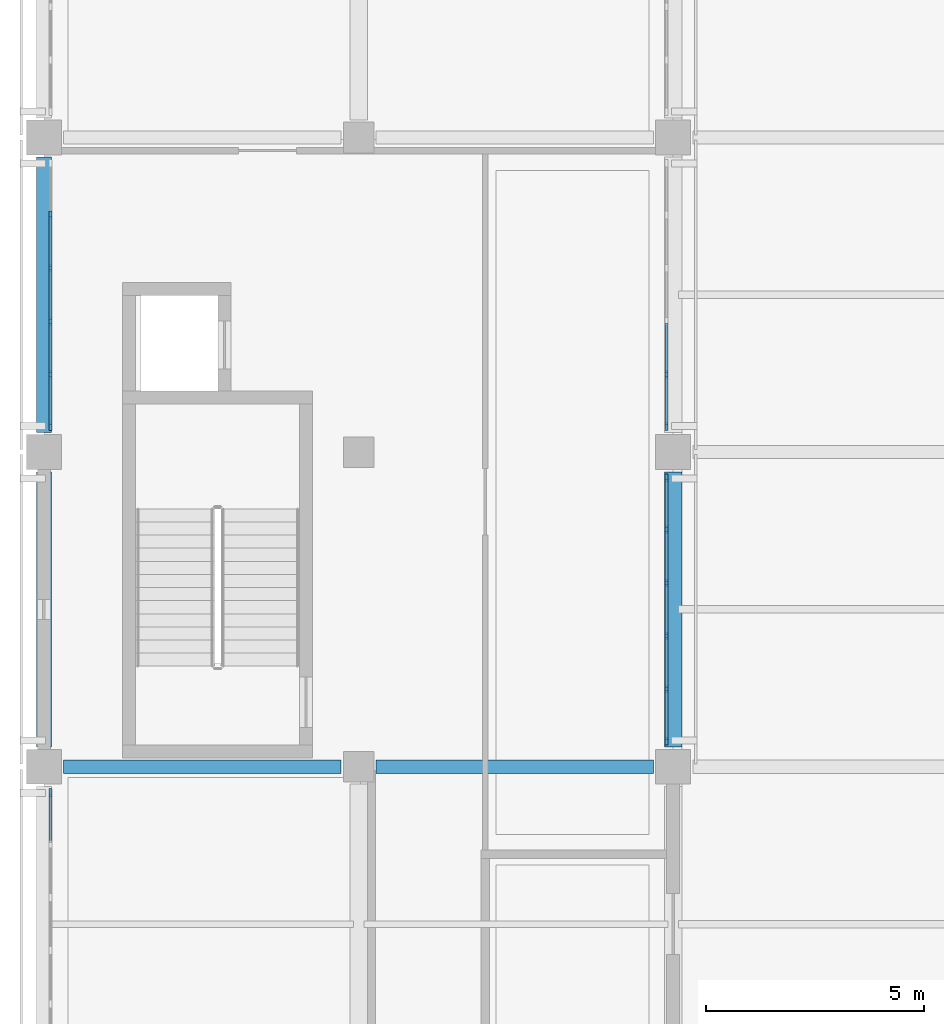
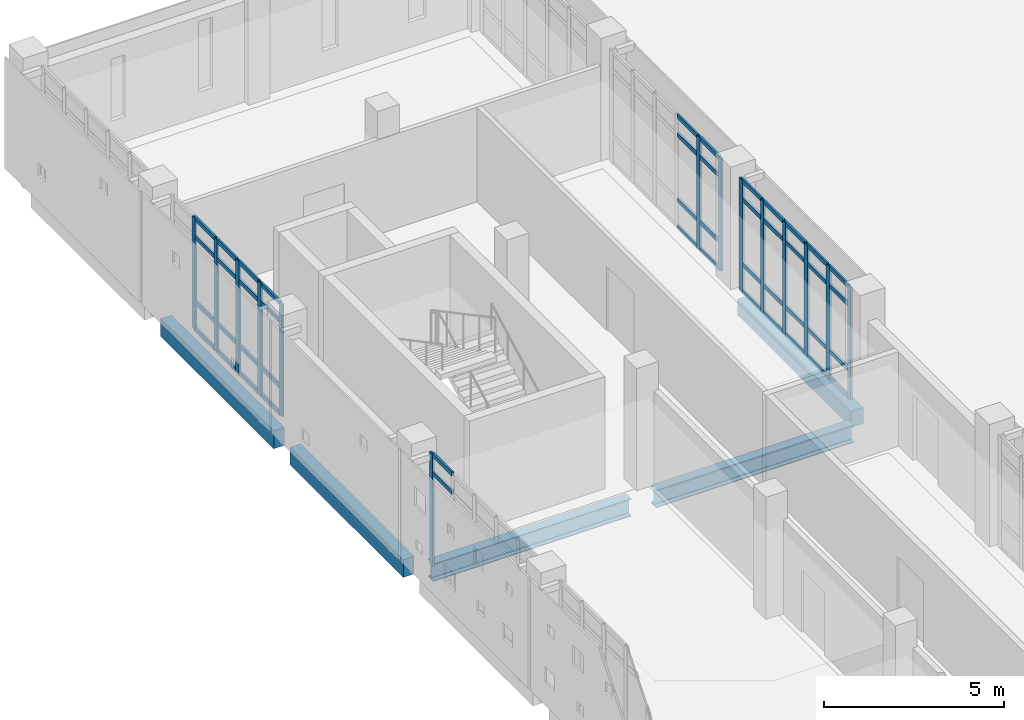
# One storey, part 9 of 51: 60 members, 5 beams, 4 elements without a shape of their own.
"""IFC4 building model written with IfcOpenShell, lengths in metres."""

from ifc_helpers import new_model, si_unit, direction, frame, origin, origin_2d, place, context, subcontext, project, spatial, rectangle, i_section, extrude, material, layer, layer_set, material_profile, profile_set, type_object, element, aggregate, save


model = new_model("IFC4")

# Units and contexts
model_context = context("Model", 3, precision=1e-05, world=origin(), true_north=direction((0.0, 1.0)))
body_context = subcontext(model_context, "Body", "Model", "MODEL_VIEW")
ifc_project = project(units=[si_unit("LENGTHUNIT", "METRE"), si_unit("AREAUNIT", "SQUARE_METRE"), si_unit("VOLUMEUNIT", "CUBIC_METRE"), si_unit("PLANEANGLEUNIT", "RADIAN"), si_unit("MASSUNIT", "GRAM", prefix="KILO")], contexts=[model_context])

# Site, building, storey
site_placement = place(None, origin())
site = spatial("IfcSite", under=ifc_project, at=site_placement, CompositionType="ELEMENT")
building_placement = place(site_placement, origin())
building = spatial("IfcBuilding", under=site, at=building_placement, Name="Valkovuoma Quantum and Materials Research Institute", CompositionType="ELEMENT")
storey_placement = place(building_placement, frame((0.0, 0.0, 17.280029296875)))
storey = spatial("IfcBuildingStorey", under=building, at=storey_placement, Name="L04", CompositionType="ELEMENT", Elevation=17.280029296875)

# Beams
ifc_material_1 = material(Name="Steel S355J2", Category="steel")
ifc_material_profile_1 = material_profile(ifc_material_1, i_section(OverallWidth=0.300048828125, OverallDepth=0.60009765625, WebThickness=0.015380859375, FlangeThickness=0.030029296875, FilletRadius=0.027099609375, at=origin_2d()), Name="Steel S355J2")
ifc_profile_set_1 = profile_set([ifc_material_profile_1], Name="Steel S355J2")
beam_type_1 = type_object("IfcBeamType", Name="Beam-B-HEB600", PredefinedType="BEAM", material=ifc_profile_set_1)
beam_1_placement = place(storey_placement, frame((0.449951171875, 72.0, -0.650146484375), z_axis=(1.0, 0.0, 0.0), x_axis=(0.0, 1.0, 0.0)))
element("IfcBeam", 1, at=beam_1_placement, inside=storey, type_object=beam_type_1, Name="L04 beam X-1852", PredefinedType="BEAM", context=body_context, shape_type="SweptSolid", body=[
    extrude(i_section(OverallWidth=0.300048828125, OverallDepth=0.60009765625, WebThickness=0.015380859375, FlangeThickness=0.030029296875, FilletRadius=0.027099609375, at=origin_2d()), origin(), (0.0, 0.0, 1.0), 6.35009765625),
])
beam_2_placement = place(storey_placement, frame((7.60009765625, 72.0, -0.650146484375), z_axis=(1.0, 0.0, 0.0), x_axis=(0.0, 1.0, 0.0)))
element("IfcBeam", 2, at=beam_2_placement, inside=storey, type_object=beam_type_1, Name="L04 beam X-1853", PredefinedType="BEAM", context=body_context, shape_type="SweptSolid", body=[
    extrude(i_section(OverallWidth=0.300048828125, OverallDepth=0.60009765625, WebThickness=0.015380859375, FlangeThickness=0.030029296875, FilletRadius=0.027099609375, at=origin_2d()), origin(), (0.0, 0.0, 1.0), 6.349853515625),
])
ifc_material_2 = material(Name="Concrete C40/50", Category="concrete")
ifc_material_profile_2 = material_profile(ifc_material_2, rectangle(XDim=0.39990234375, YDim=0.550048828125, at=origin_2d()), Name="Concrete C40/50")
ifc_profile_set_2 = profile_set([ifc_material_profile_2], Name="Concrete C40/50")
beam_type_2 = type_object("IfcBeamType", Name="Beam-B-RC550", PredefinedType="BEAM", material=ifc_profile_set_2)
beam_3_placement = place(storey_placement, frame((14.39990234375, 72.449951171875, -0.625), z_axis=(0.0, 1.0, 0.0), x_axis=(-1.0, 0.0, 0.0)))
element("IfcBeam", 3, at=beam_3_placement, inside=storey, type_object=beam_type_2, Name="L04 beam Y-1927", PredefinedType="BEAM", context=body_context, shape_type="SweptSolid", body=[
    extrude(rectangle(XDim=0.39990234375, YDim=0.550048828125, at=origin_2d()), origin(), (0.0, 0.0, 1.0), 6.300048828125),
])
ifc_material_3 = material(Name="Concrete C40/50", Category="concrete")
ifc_material_profile_3 = material_profile(ifc_material_3, rectangle(XDim=0.35009765625, YDim=0.60009765625, at=origin_2d()), Name="Concrete C40/50")
ifc_profile_set_3 = profile_set([ifc_material_profile_3], Name="Concrete C40/50")
beam_type_3 = type_object("IfcBeamType", Name="Beam-B-SPN600", PredefinedType="SPANDREL", material=ifc_profile_set_3)
for number, where, z_axis, x_axis, name in (
    (4, (0.0, 72.449951171875, -0.650146484375), (0.0, 1.0, 0.0), (-1.0, 0.0, 0.0), "L04 beam Y-1919"),
    (5, (0.0, 79.64990234375, -0.650146484375), (0.0, 1.0, 0.0), (-1.0, 0.0, 0.0), "L04 beam Y-1920"),
):
    element("IfcBeam", number, at=place(storey_placement, frame(where, z_axis=z_axis, x_axis=x_axis)), inside=storey, type_object=beam_type_3, Name=name, PredefinedType="SPANDREL", context=body_context, shape_type="SweptSolid", body=[
        extrude(rectangle(XDim=0.35009765625, YDim=0.60009765625, at=origin_2d()), origin(), (0.0, 0.0, 1.0), 6.300048828125),
    ])

# Curtain wall, member
ifc_material_4 = material(Name="Thermally broken aluminium and triple low-E glazing", Category="aluminium")
ifc_layer = layer(ifc_material_4, 0.219970703125)
ifc_layer_set = layer_set([ifc_layer], Name="Thermally broken aluminium and triple low-E glazing")
curtain_wall_type = type_object("IfcCurtainWallType", Name="CW-CW-01", PredefinedType="NOTDEFINED", material=ifc_layer_set)
curtain_wall_1_placement = place(storey_placement, origin())
curtain_wall_1 = element("IfcCurtainWall", 6, at=curtain_wall_1_placement, inside=storey, type_object=curtain_wall_type, Name="L04 curtain wall 049", PredefinedType="NOTDEFINED")
ifc_material_5 = material(Name="Anodised aluminium 6060-T66", Category="aluminium")
ifc_material_profile_4 = material_profile(ifc_material_5, rectangle(XDim=0.06494140625, YDim=0.179931640625, at=origin_2d()), Name="Anodised aluminium 6060-T66")
ifc_profile_set_4 = profile_set([ifc_material_profile_4], Name="Anodised aluminium 6060-T66")
member_type_1 = type_object("IfcMemberType", Name="CWMull-CWM-01", PredefinedType="MULLION", material=ifc_profile_set_4)
member_1_placement = place(storey_placement, frame((0.14990234375, 71.410400390625, 0.0), z_axis=(0.0, 0.0, 1.0), x_axis=(-1.0, 0.0, 0.0)))
member_1 = element("IfcMember", 7, at=member_1_placement, type_object=member_type_1, Name="CW-01 mullion 6", PredefinedType="MULLION", context=body_context, shape_type="SweptSolid", body=[
    extrude(rectangle(XDim=0.06494140625, YDim=0.179931640625, at=origin_2d()), origin(), (0.0, 0.0, 1.0), 3.81005859375),
])

# Curtain wall, members
curtain_wall_2_placement = place(storey_placement, origin())
curtain_wall_2 = element("IfcCurtainWall", 8, at=curtain_wall_2_placement, inside=storey, type_object=curtain_wall_type, Name="L04 curtain wall 050", PredefinedType="NOTDEFINED")
member_2_placement = place(storey_placement, frame((14.25, 72.589599609375, 0.0), z_axis=(0.0, 0.0, 1.0), x_axis=(-1.0, 0.0, 0.0)))
member_2 = element("IfcMember", 9, at=member_2_placement, type_object=member_type_1, Name="CW-01 mullion 1", PredefinedType="MULLION", context=body_context, shape_type="SweptSolid", body=[
    extrude(rectangle(XDim=0.06494140625, YDim=0.179931640625, at=origin_2d()), origin(), (0.0, 0.0, 1.0), 3.81005859375),
])
member_3_placement = place(storey_placement, frame((14.25, 73.774169921875, 0.0), z_axis=(0.0, 0.0, 1.0), x_axis=(-1.0, 0.0, 0.0)))
member_3 = element("IfcMember", 10, at=member_3_placement, type_object=member_type_1, Name="CW-01 mullion 2", PredefinedType="MULLION", context=body_context, shape_type="SweptSolid", body=[
    extrude(rectangle(XDim=0.06494140625, YDim=0.179931640625, at=origin_2d()), origin(), (0.0, 0.0, 1.0), 3.81005859375),
])
member_4_placement = place(storey_placement, frame((14.25, 74.991455078125, 0.0), z_axis=(0.0, 0.0, 1.0), x_axis=(-1.0, 0.0, 0.0)))
member_4 = element("IfcMember", 11, at=member_4_placement, type_object=member_type_1, Name="CW-01 mullion 3", PredefinedType="MULLION", context=body_context, shape_type="SweptSolid", body=[
    extrude(rectangle(XDim=0.06494140625, YDim=0.179931640625, at=origin_2d()), origin(), (0.0, 0.0, 1.0), 3.81005859375),
])
member_5_placement = place(storey_placement, frame((14.25, 76.20849609375, 0.0), z_axis=(0.0, 0.0, 1.0), x_axis=(-1.0, 0.0, 0.0)))
member_5 = element("IfcMember", 12, at=member_5_placement, type_object=member_type_1, Name="CW-01 mullion 4", PredefinedType="MULLION", context=body_context, shape_type="SweptSolid", body=[
    extrude(rectangle(XDim=0.06494140625, YDim=0.179931640625, at=origin_2d()), origin(), (0.0, 0.0, 1.0), 3.81005859375),
])
member_6_placement = place(storey_placement, frame((14.25, 77.42578125, 0.0), z_axis=(0.0, 0.0, 1.0), x_axis=(-1.0, 0.0, 0.0)))
member_6 = element("IfcMember", 13, at=member_6_placement, type_object=member_type_1, Name="CW-01 mullion 5", PredefinedType="MULLION", context=body_context, shape_type="SweptSolid", body=[
    extrude(rectangle(XDim=0.06494140625, YDim=0.179931640625, at=origin_2d()), origin(), (0.0, 0.0, 1.0), 3.81005859375),
])
member_7_placement = place(storey_placement, frame((14.25, 78.6103515625, 0.0), z_axis=(0.0, 0.0, 1.0), x_axis=(-1.0, 0.0, 0.0)))
member_7 = element("IfcMember", 14, at=member_7_placement, type_object=member_type_1, Name="CW-01 mullion 6", PredefinedType="MULLION", context=body_context, shape_type="SweptSolid", body=[
    extrude(rectangle(XDim=0.06494140625, YDim=0.179931640625, at=origin_2d()), origin(), (0.0, 0.0, 1.0), 3.81005859375),
])

curtain_wall_3_placement = place(storey_placement, origin())
curtain_wall_3 = element("IfcCurtainWall", 15, at=curtain_wall_3_placement, inside=storey, type_object=curtain_wall_type, Name="L04 curtain wall 051", PredefinedType="NOTDEFINED")
member_8_placement = place(storey_placement, frame((0.14990234375, 79.78955078125, 0.0), z_axis=(0.0, 0.0, 1.0), x_axis=(-1.0, 0.0, 0.0)))
member_8 = element("IfcMember", 16, at=member_8_placement, type_object=member_type_1, Name="CW-01 mullion 1", PredefinedType="MULLION", context=body_context, shape_type="SweptSolid", body=[
    extrude(rectangle(XDim=0.06494140625, YDim=0.179931640625, at=origin_2d()), origin(), (0.0, 0.0, 1.0), 3.81005859375),
])
member_9_placement = place(storey_placement, frame((0.14990234375, 80.974365234375, 0.0), z_axis=(0.0, 0.0, 1.0), x_axis=(-1.0, 0.0, 0.0)))
member_9 = element("IfcMember", 17, at=member_9_placement, type_object=member_type_1, Name="CW-01 mullion 2", PredefinedType="MULLION", context=body_context, shape_type="SweptSolid", body=[
    extrude(rectangle(XDim=0.06494140625, YDim=0.179931640625, at=origin_2d()), origin(), (0.0, 0.0, 1.0), 3.81005859375),
])
member_10_placement = place(storey_placement, frame((0.14990234375, 82.19140625, 0.0), z_axis=(0.0, 0.0, 1.0), x_axis=(-1.0, 0.0, 0.0)))
member_10 = element("IfcMember", 18, at=member_10_placement, type_object=member_type_1, Name="CW-01 mullion 3", PredefinedType="MULLION", context=body_context, shape_type="SweptSolid", body=[
    extrude(rectangle(XDim=0.06494140625, YDim=0.179931640625, at=origin_2d()), origin(), (0.0, 0.0, 1.0), 3.81005859375),
])
member_11_placement = place(storey_placement, frame((0.14990234375, 83.40869140625, 0.0), z_axis=(0.0, 0.0, 1.0), x_axis=(-1.0, 0.0, 0.0)))
member_11 = element("IfcMember", 19, at=member_11_placement, type_object=member_type_1, Name="CW-01 mullion 4", PredefinedType="MULLION", context=body_context, shape_type="SweptSolid", body=[
    extrude(rectangle(XDim=0.06494140625, YDim=0.179931640625, at=origin_2d()), origin(), (0.0, 0.0, 1.0), 3.81005859375),
])
member_12_placement = place(storey_placement, frame((0.14990234375, 84.625732421875, 0.0), z_axis=(0.0, 0.0, 1.0), x_axis=(-1.0, 0.0, 0.0)))
member_12 = element("IfcMember", 20, at=member_12_placement, type_object=member_type_1, Name="CW-01 mullion 5", PredefinedType="MULLION", context=body_context, shape_type="SweptSolid", body=[
    extrude(rectangle(XDim=0.06494140625, YDim=0.179931640625, at=origin_2d()), origin(), (0.0, 0.0, 1.0), 3.81005859375),
])

curtain_wall_4_placement = place(storey_placement, origin())
curtain_wall_4 = element("IfcCurtainWall", 21, at=curtain_wall_4_placement, inside=storey, type_object=curtain_wall_type, Name="L04 curtain wall 052", PredefinedType="NOTDEFINED")
member_13_placement = place(storey_placement, frame((14.25, 79.78955078125, 0.0), z_axis=(0.0, 0.0, 1.0), x_axis=(-1.0, 0.0, 0.0)))
member_13 = element("IfcMember", 22, at=member_13_placement, type_object=member_type_1, Name="CW-01 mullion 1", PredefinedType="MULLION", context=body_context, shape_type="SweptSolid", body=[
    extrude(rectangle(XDim=0.06494140625, YDim=0.179931640625, at=origin_2d()), origin(), (0.0, 0.0, 1.0), 3.81005859375),
])
member_14_placement = place(storey_placement, frame((14.25, 80.974365234375, 0.0), z_axis=(0.0, 0.0, 1.0), x_axis=(-1.0, 0.0, 0.0)))
member_14 = element("IfcMember", 23, at=member_14_placement, type_object=member_type_1, Name="CW-01 mullion 2", PredefinedType="MULLION", context=body_context, shape_type="SweptSolid", body=[
    extrude(rectangle(XDim=0.06494140625, YDim=0.179931640625, at=origin_2d()), origin(), (0.0, 0.0, 1.0), 3.81005859375),
])

# Member
ifc_material_6 = material(Name="Anodised aluminium 6060-T66", Category="aluminium")
ifc_material_profile_5 = material_profile(ifc_material_6, rectangle(XDim=0.06494140625, YDim=0.139892578125, at=origin_2d()), Name="Anodised aluminium 6060-T66")
ifc_profile_set_5 = profile_set([ifc_material_profile_5], Name="Anodised aluminium 6060-T66")
member_type_2 = type_object("IfcMemberType", Name="CWTran-CWT-01", PredefinedType="USERDEFINED", material=ifc_profile_set_5)
member_15_placement = place(storey_placement, frame((0.14990234375, 70.25830078125, 3.159912109375), z_axis=(0.0, 1.0, 0.0), x_axis=(-1.0, 0.0, 0.0)))
member_15 = element("IfcMember", 24, at=member_15_placement, type_object=member_type_2, Name="CW-01 transom 5.3", ObjectType="TRANSOM", PredefinedType="USERDEFINED", context=body_context, shape_type="SweptSolid", body=[
    extrude(rectangle(XDim=0.06494140625, YDim=0.139892578125, at=origin_2d()), origin(), (0.0, 0.0, 1.0), 1.11962890625),
])

member_16_placement = place(storey_placement, frame((0.14990234375, 70.25830078125, 3.777587890625), z_axis=(0.0, 1.0, 0.0), x_axis=(-1.0, 0.0, 0.0)))
member_16 = element("IfcMember", 25, at=member_16_placement, type_object=member_type_2, Name="CW-01 transom 5.4", ObjectType="TRANSOM", PredefinedType="USERDEFINED", context=body_context, shape_type="SweptSolid", body=[
    extrude(rectangle(XDim=0.06494140625, YDim=0.139892578125, at=origin_2d()), origin(), (0.0, 0.0, 1.0), 1.11962890625),
])

aggregate(curtain_wall_1, [member_1, member_15, member_16])

member_17_placement = place(storey_placement, frame((14.25, 72.6220703125, 0.032470703125), z_axis=(0.0, 1.0, 0.0), x_axis=(-1.0, 0.0, 0.0)))
member_17 = element("IfcMember", 26, at=member_17_placement, type_object=member_type_2, Name="CW-01 transom 1.1", ObjectType="TRANSOM", PredefinedType="USERDEFINED", context=body_context, shape_type="SweptSolid", body=[
    extrude(rectangle(XDim=0.06494140625, YDim=0.139892578125, at=origin_2d()), origin(), (0.0, 0.0, 1.0), 1.11962890625),
])

member_18_placement = place(storey_placement, frame((14.25, 72.6220703125, 0.949951171875), z_axis=(0.0, 1.0, 0.0), x_axis=(-1.0, 0.0, 0.0)))
member_18 = element("IfcMember", 27, at=member_18_placement, type_object=member_type_2, Name="CW-01 transom 1.2", ObjectType="TRANSOM", PredefinedType="USERDEFINED", context=body_context, shape_type="SweptSolid", body=[
    extrude(rectangle(XDim=0.06494140625, YDim=0.139892578125, at=origin_2d()), origin(), (0.0, 0.0, 1.0), 1.11962890625),
])

member_19_placement = place(storey_placement, frame((14.25, 72.6220703125, 3.159912109375), z_axis=(0.0, 1.0, 0.0), x_axis=(-1.0, 0.0, 0.0)))
member_19 = element("IfcMember", 28, at=member_19_placement, type_object=member_type_2, Name="CW-01 transom 1.3", ObjectType="TRANSOM", PredefinedType="USERDEFINED", context=body_context, shape_type="SweptSolid", body=[
    extrude(rectangle(XDim=0.06494140625, YDim=0.139892578125, at=origin_2d()), origin(), (0.0, 0.0, 1.0), 1.11962890625),
])

member_20_placement = place(storey_placement, frame((14.25, 72.6220703125, 3.777587890625), z_axis=(0.0, 1.0, 0.0), x_axis=(-1.0, 0.0, 0.0)))
member_20 = element("IfcMember", 29, at=member_20_placement, type_object=member_type_2, Name="CW-01 transom 1.4", ObjectType="TRANSOM", PredefinedType="USERDEFINED", context=body_context, shape_type="SweptSolid", body=[
    extrude(rectangle(XDim=0.06494140625, YDim=0.139892578125, at=origin_2d()), origin(), (0.0, 0.0, 1.0), 1.11962890625),
])

member_21_placement = place(storey_placement, frame((14.25, 73.806640625, 0.032470703125), z_axis=(0.0, 1.0, 0.0), x_axis=(-1.0, 0.0, 0.0)))
member_21 = element("IfcMember", 30, at=member_21_placement, type_object=member_type_2, Name="CW-01 transom 2.1", ObjectType="TRANSOM", PredefinedType="USERDEFINED", context=body_context, shape_type="SweptSolid", body=[
    extrude(rectangle(XDim=0.06494140625, YDim=0.139892578125, at=origin_2d()), origin(), (0.0, 0.0, 1.0), 1.15234375),
])

member_22_placement = place(storey_placement, frame((14.25, 73.806640625, 0.949951171875), z_axis=(0.0, 1.0, 0.0), x_axis=(-1.0, 0.0, 0.0)))
member_22 = element("IfcMember", 31, at=member_22_placement, type_object=member_type_2, Name="CW-01 transom 2.2", ObjectType="TRANSOM", PredefinedType="USERDEFINED", context=body_context, shape_type="SweptSolid", body=[
    extrude(rectangle(XDim=0.06494140625, YDim=0.139892578125, at=origin_2d()), origin(), (0.0, 0.0, 1.0), 1.15234375),
])

member_23_placement = place(storey_placement, frame((14.25, 73.806640625, 3.159912109375), z_axis=(0.0, 1.0, 0.0), x_axis=(-1.0, 0.0, 0.0)))
member_23 = element("IfcMember", 32, at=member_23_placement, type_object=member_type_2, Name="CW-01 transom 2.3", ObjectType="TRANSOM", PredefinedType="USERDEFINED", context=body_context, shape_type="SweptSolid", body=[
    extrude(rectangle(XDim=0.06494140625, YDim=0.139892578125, at=origin_2d()), origin(), (0.0, 0.0, 1.0), 1.15234375),
])

member_24_placement = place(storey_placement, frame((14.25, 73.806640625, 3.777587890625), z_axis=(0.0, 1.0, 0.0), x_axis=(-1.0, 0.0, 0.0)))
member_24 = element("IfcMember", 33, at=member_24_placement, type_object=member_type_2, Name="CW-01 transom 2.4", ObjectType="TRANSOM", PredefinedType="USERDEFINED", context=body_context, shape_type="SweptSolid", body=[
    extrude(rectangle(XDim=0.06494140625, YDim=0.139892578125, at=origin_2d()), origin(), (0.0, 0.0, 1.0), 1.15234375),
])

member_25_placement = place(storey_placement, frame((14.25, 75.02392578125, 0.032470703125), z_axis=(0.0, 1.0, 0.0), x_axis=(-1.0, 0.0, 0.0)))
member_25 = element("IfcMember", 34, at=member_25_placement, type_object=member_type_2, Name="CW-01 transom 3.1", ObjectType="TRANSOM", PredefinedType="USERDEFINED", context=body_context, shape_type="SweptSolid", body=[
    extrude(rectangle(XDim=0.06494140625, YDim=0.139892578125, at=origin_2d()), origin(), (0.0, 0.0, 1.0), 1.152099609375),
])

member_26_placement = place(storey_placement, frame((14.25, 75.02392578125, 0.949951171875), z_axis=(0.0, 1.0, 0.0), x_axis=(-1.0, 0.0, 0.0)))
member_26 = element("IfcMember", 35, at=member_26_placement, type_object=member_type_2, Name="CW-01 transom 3.2", ObjectType="TRANSOM", PredefinedType="USERDEFINED", context=body_context, shape_type="SweptSolid", body=[
    extrude(rectangle(XDim=0.06494140625, YDim=0.139892578125, at=origin_2d()), origin(), (0.0, 0.0, 1.0), 1.152099609375),
])

member_27_placement = place(storey_placement, frame((14.25, 75.02392578125, 3.159912109375), z_axis=(0.0, 1.0, 0.0), x_axis=(-1.0, 0.0, 0.0)))
member_27 = element("IfcMember", 36, at=member_27_placement, type_object=member_type_2, Name="CW-01 transom 3.3", ObjectType="TRANSOM", PredefinedType="USERDEFINED", context=body_context, shape_type="SweptSolid", body=[
    extrude(rectangle(XDim=0.06494140625, YDim=0.139892578125, at=origin_2d()), origin(), (0.0, 0.0, 1.0), 1.152099609375),
])

member_28_placement = place(storey_placement, frame((14.25, 75.02392578125, 3.777587890625), z_axis=(0.0, 1.0, 0.0), x_axis=(-1.0, 0.0, 0.0)))
member_28 = element("IfcMember", 37, at=member_28_placement, type_object=member_type_2, Name="CW-01 transom 3.4", ObjectType="TRANSOM", PredefinedType="USERDEFINED", context=body_context, shape_type="SweptSolid", body=[
    extrude(rectangle(XDim=0.06494140625, YDim=0.139892578125, at=origin_2d()), origin(), (0.0, 0.0, 1.0), 1.152099609375),
])

member_29_placement = place(storey_placement, frame((14.25, 76.240966796875, 0.032470703125), z_axis=(0.0, 1.0, 0.0), x_axis=(-1.0, 0.0, 0.0)))
member_29 = element("IfcMember", 38, at=member_29_placement, type_object=member_type_2, Name="CW-01 transom 4.1", ObjectType="TRANSOM", PredefinedType="USERDEFINED", context=body_context, shape_type="SweptSolid", body=[
    extrude(rectangle(XDim=0.06494140625, YDim=0.139892578125, at=origin_2d()), origin(), (0.0, 0.0, 1.0), 1.15234375),
])

member_30_placement = place(storey_placement, frame((14.25, 76.240966796875, 0.949951171875), z_axis=(0.0, 1.0, 0.0), x_axis=(-1.0, 0.0, 0.0)))
member_30 = element("IfcMember", 39, at=member_30_placement, type_object=member_type_2, Name="CW-01 transom 4.2", ObjectType="TRANSOM", PredefinedType="USERDEFINED", context=body_context, shape_type="SweptSolid", body=[
    extrude(rectangle(XDim=0.06494140625, YDim=0.139892578125, at=origin_2d()), origin(), (0.0, 0.0, 1.0), 1.15234375),
])

member_31_placement = place(storey_placement, frame((14.25, 76.240966796875, 3.159912109375), z_axis=(0.0, 1.0, 0.0), x_axis=(-1.0, 0.0, 0.0)))
member_31 = element("IfcMember", 40, at=member_31_placement, type_object=member_type_2, Name="CW-01 transom 4.3", ObjectType="TRANSOM", PredefinedType="USERDEFINED", context=body_context, shape_type="SweptSolid", body=[
    extrude(rectangle(XDim=0.06494140625, YDim=0.139892578125, at=origin_2d()), origin(), (0.0, 0.0, 1.0), 1.15234375),
])

member_32_placement = place(storey_placement, frame((14.25, 76.240966796875, 3.777587890625), z_axis=(0.0, 1.0, 0.0), x_axis=(-1.0, 0.0, 0.0)))
member_32 = element("IfcMember", 41, at=member_32_placement, type_object=member_type_2, Name="CW-01 transom 4.4", ObjectType="TRANSOM", PredefinedType="USERDEFINED", context=body_context, shape_type="SweptSolid", body=[
    extrude(rectangle(XDim=0.06494140625, YDim=0.139892578125, at=origin_2d()), origin(), (0.0, 0.0, 1.0), 1.15234375),
])

member_33_placement = place(storey_placement, frame((14.25, 77.458251953125, 0.032470703125), z_axis=(0.0, 1.0, 0.0), x_axis=(-1.0, 0.0, 0.0)))
member_33 = element("IfcMember", 42, at=member_33_placement, type_object=member_type_2, Name="CW-01 transom 5.1", ObjectType="TRANSOM", PredefinedType="USERDEFINED", context=body_context, shape_type="SweptSolid", body=[
    extrude(rectangle(XDim=0.06494140625, YDim=0.139892578125, at=origin_2d()), origin(), (0.0, 0.0, 1.0), 1.11962890625),
])

member_34_placement = place(storey_placement, frame((14.25, 77.458251953125, 0.949951171875), z_axis=(0.0, 1.0, 0.0), x_axis=(-1.0, 0.0, 0.0)))
member_34 = element("IfcMember", 43, at=member_34_placement, type_object=member_type_2, Name="CW-01 transom 5.2", ObjectType="TRANSOM", PredefinedType="USERDEFINED", context=body_context, shape_type="SweptSolid", body=[
    extrude(rectangle(XDim=0.06494140625, YDim=0.139892578125, at=origin_2d()), origin(), (0.0, 0.0, 1.0), 1.11962890625),
])

member_35_placement = place(storey_placement, frame((14.25, 77.458251953125, 3.159912109375), z_axis=(0.0, 1.0, 0.0), x_axis=(-1.0, 0.0, 0.0)))
member_35 = element("IfcMember", 44, at=member_35_placement, type_object=member_type_2, Name="CW-01 transom 5.3", ObjectType="TRANSOM", PredefinedType="USERDEFINED", context=body_context, shape_type="SweptSolid", body=[
    extrude(rectangle(XDim=0.06494140625, YDim=0.139892578125, at=origin_2d()), origin(), (0.0, 0.0, 1.0), 1.11962890625),
])

member_36_placement = place(storey_placement, frame((14.25, 77.458251953125, 3.777587890625), z_axis=(0.0, 1.0, 0.0), x_axis=(-1.0, 0.0, 0.0)))
member_36 = element("IfcMember", 45, at=member_36_placement, type_object=member_type_2, Name="CW-01 transom 5.4", ObjectType="TRANSOM", PredefinedType="USERDEFINED", context=body_context, shape_type="SweptSolid", body=[
    extrude(rectangle(XDim=0.06494140625, YDim=0.139892578125, at=origin_2d()), origin(), (0.0, 0.0, 1.0), 1.11962890625),
])

aggregate(curtain_wall_2, [member_2, member_3, member_4, member_5, member_6, member_7, member_17, member_18, member_19, member_20, member_21, member_22, member_23, member_24, member_25, member_26, member_27, member_28, member_29, member_30, member_31, member_32, member_33, member_34, member_35, member_36])

member_37_placement = place(storey_placement, frame((0.14990234375, 79.822021484375, 0.032470703125), z_axis=(0.0, 1.0, 0.0), x_axis=(-1.0, 0.0, 0.0)))
member_37 = element("IfcMember", 46, at=member_37_placement, type_object=member_type_2, Name="CW-01 transom 1.1", ObjectType="TRANSOM", PredefinedType="USERDEFINED", context=body_context, shape_type="SweptSolid", body=[
    extrude(rectangle(XDim=0.06494140625, YDim=0.139892578125, at=origin_2d()), origin(), (0.0, 0.0, 1.0), 1.11962890625),
])

member_38_placement = place(storey_placement, frame((0.14990234375, 79.822021484375, 0.949951171875), z_axis=(0.0, 1.0, 0.0), x_axis=(-1.0, 0.0, 0.0)))
member_38 = element("IfcMember", 47, at=member_38_placement, type_object=member_type_2, Name="CW-01 transom 1.2", ObjectType="TRANSOM", PredefinedType="USERDEFINED", context=body_context, shape_type="SweptSolid", body=[
    extrude(rectangle(XDim=0.06494140625, YDim=0.139892578125, at=origin_2d()), origin(), (0.0, 0.0, 1.0), 1.11962890625),
])

member_39_placement = place(storey_placement, frame((0.14990234375, 79.822021484375, 3.159912109375), z_axis=(0.0, 1.0, 0.0), x_axis=(-1.0, 0.0, 0.0)))
member_39 = element("IfcMember", 48, at=member_39_placement, type_object=member_type_2, Name="CW-01 transom 1.3", ObjectType="TRANSOM", PredefinedType="USERDEFINED", context=body_context, shape_type="SweptSolid", body=[
    extrude(rectangle(XDim=0.06494140625, YDim=0.139892578125, at=origin_2d()), origin(), (0.0, 0.0, 1.0), 1.11962890625),
])

member_40_placement = place(storey_placement, frame((0.14990234375, 79.822021484375, 3.777587890625), z_axis=(0.0, 1.0, 0.0), x_axis=(-1.0, 0.0, 0.0)))
member_40 = element("IfcMember", 49, at=member_40_placement, type_object=member_type_2, Name="CW-01 transom 1.4", ObjectType="TRANSOM", PredefinedType="USERDEFINED", context=body_context, shape_type="SweptSolid", body=[
    extrude(rectangle(XDim=0.06494140625, YDim=0.139892578125, at=origin_2d()), origin(), (0.0, 0.0, 1.0), 1.11962890625),
])

member_41_placement = place(storey_placement, frame((0.14990234375, 81.0068359375, 0.032470703125), z_axis=(0.0, 1.0, 0.0), x_axis=(-1.0, 0.0, 0.0)))
member_41 = element("IfcMember", 50, at=member_41_placement, type_object=member_type_2, Name="CW-01 transom 2.1", ObjectType="TRANSOM", PredefinedType="USERDEFINED", context=body_context, shape_type="SweptSolid", body=[
    extrude(rectangle(XDim=0.06494140625, YDim=0.139892578125, at=origin_2d()), origin(), (0.0, 0.0, 1.0), 1.152099609375),
])

member_42_placement = place(storey_placement, frame((0.14990234375, 81.0068359375, 0.949951171875), z_axis=(0.0, 1.0, 0.0), x_axis=(-1.0, 0.0, 0.0)))
member_42 = element("IfcMember", 51, at=member_42_placement, type_object=member_type_2, Name="CW-01 transom 2.2", ObjectType="TRANSOM", PredefinedType="USERDEFINED", context=body_context, shape_type="SweptSolid", body=[
    extrude(rectangle(XDim=0.06494140625, YDim=0.139892578125, at=origin_2d()), origin(), (0.0, 0.0, 1.0), 1.152099609375),
])

member_43_placement = place(storey_placement, frame((0.14990234375, 81.0068359375, 3.159912109375), z_axis=(0.0, 1.0, 0.0), x_axis=(-1.0, 0.0, 0.0)))
member_43 = element("IfcMember", 52, at=member_43_placement, type_object=member_type_2, Name="CW-01 transom 2.3", ObjectType="TRANSOM", PredefinedType="USERDEFINED", context=body_context, shape_type="SweptSolid", body=[
    extrude(rectangle(XDim=0.06494140625, YDim=0.139892578125, at=origin_2d()), origin(), (0.0, 0.0, 1.0), 1.152099609375),
])

member_44_placement = place(storey_placement, frame((0.14990234375, 81.0068359375, 3.777587890625), z_axis=(0.0, 1.0, 0.0), x_axis=(-1.0, 0.0, 0.0)))
member_44 = element("IfcMember", 53, at=member_44_placement, type_object=member_type_2, Name="CW-01 transom 2.4", ObjectType="TRANSOM", PredefinedType="USERDEFINED", context=body_context, shape_type="SweptSolid", body=[
    extrude(rectangle(XDim=0.06494140625, YDim=0.139892578125, at=origin_2d()), origin(), (0.0, 0.0, 1.0), 1.152099609375),
])

member_45_placement = place(storey_placement, frame((0.14990234375, 82.223876953125, 0.032470703125), z_axis=(0.0, 1.0, 0.0), x_axis=(-1.0, 0.0, 0.0)))
member_45 = element("IfcMember", 54, at=member_45_placement, type_object=member_type_2, Name="CW-01 transom 3.1", ObjectType="TRANSOM", PredefinedType="USERDEFINED", context=body_context, shape_type="SweptSolid", body=[
    extrude(rectangle(XDim=0.06494140625, YDim=0.139892578125, at=origin_2d()), origin(), (0.0, 0.0, 1.0), 1.152099609375),
])

member_46_placement = place(storey_placement, frame((0.14990234375, 82.223876953125, 0.949951171875), z_axis=(0.0, 1.0, 0.0), x_axis=(-1.0, 0.0, 0.0)))
member_46 = element("IfcMember", 55, at=member_46_placement, type_object=member_type_2, Name="CW-01 transom 3.2", ObjectType="TRANSOM", PredefinedType="USERDEFINED", context=body_context, shape_type="SweptSolid", body=[
    extrude(rectangle(XDim=0.06494140625, YDim=0.139892578125, at=origin_2d()), origin(), (0.0, 0.0, 1.0), 1.152099609375),
])

member_47_placement = place(storey_placement, frame((0.14990234375, 82.223876953125, 3.159912109375), z_axis=(0.0, 1.0, 0.0), x_axis=(-1.0, 0.0, 0.0)))
member_47 = element("IfcMember", 56, at=member_47_placement, type_object=member_type_2, Name="CW-01 transom 3.3", ObjectType="TRANSOM", PredefinedType="USERDEFINED", context=body_context, shape_type="SweptSolid", body=[
    extrude(rectangle(XDim=0.06494140625, YDim=0.139892578125, at=origin_2d()), origin(), (0.0, 0.0, 1.0), 1.152099609375),
])

member_48_placement = place(storey_placement, frame((0.14990234375, 82.223876953125, 3.777587890625), z_axis=(0.0, 1.0, 0.0), x_axis=(-1.0, 0.0, 0.0)))
member_48 = element("IfcMember", 57, at=member_48_placement, type_object=member_type_2, Name="CW-01 transom 3.4", ObjectType="TRANSOM", PredefinedType="USERDEFINED", context=body_context, shape_type="SweptSolid", body=[
    extrude(rectangle(XDim=0.06494140625, YDim=0.139892578125, at=origin_2d()), origin(), (0.0, 0.0, 1.0), 1.152099609375),
])

member_49_placement = place(storey_placement, frame((0.14990234375, 83.441162109375, 0.032470703125), z_axis=(0.0, 1.0, 0.0), x_axis=(-1.0, 0.0, 0.0)))
member_49 = element("IfcMember", 58, at=member_49_placement, type_object=member_type_2, Name="CW-01 transom 4.1", ObjectType="TRANSOM", PredefinedType="USERDEFINED", context=body_context, shape_type="SweptSolid", body=[
    extrude(rectangle(XDim=0.06494140625, YDim=0.139892578125, at=origin_2d()), origin(), (0.0, 0.0, 1.0), 1.152099609375),
])

member_50_placement = place(storey_placement, frame((0.14990234375, 83.441162109375, 0.949951171875), z_axis=(0.0, 1.0, 0.0), x_axis=(-1.0, 0.0, 0.0)))
member_50 = element("IfcMember", 59, at=member_50_placement, type_object=member_type_2, Name="CW-01 transom 4.2", ObjectType="TRANSOM", PredefinedType="USERDEFINED", context=body_context, shape_type="SweptSolid", body=[
    extrude(rectangle(XDim=0.06494140625, YDim=0.139892578125, at=origin_2d()), origin(), (0.0, 0.0, 1.0), 1.152099609375),
])

member_51_placement = place(storey_placement, frame((0.14990234375, 83.441162109375, 3.159912109375), z_axis=(0.0, 1.0, 0.0), x_axis=(-1.0, 0.0, 0.0)))
member_51 = element("IfcMember", 60, at=member_51_placement, type_object=member_type_2, Name="CW-01 transom 4.3", ObjectType="TRANSOM", PredefinedType="USERDEFINED", context=body_context, shape_type="SweptSolid", body=[
    extrude(rectangle(XDim=0.06494140625, YDim=0.139892578125, at=origin_2d()), origin(), (0.0, 0.0, 1.0), 1.152099609375),
])

member_52_placement = place(storey_placement, frame((0.14990234375, 83.441162109375, 3.777587890625), z_axis=(0.0, 1.0, 0.0), x_axis=(-1.0, 0.0, 0.0)))
member_52 = element("IfcMember", 61, at=member_52_placement, type_object=member_type_2, Name="CW-01 transom 4.4", ObjectType="TRANSOM", PredefinedType="USERDEFINED", context=body_context, shape_type="SweptSolid", body=[
    extrude(rectangle(XDim=0.06494140625, YDim=0.139892578125, at=origin_2d()), origin(), (0.0, 0.0, 1.0), 1.152099609375),
])

aggregate(curtain_wall_3, [member_8, member_9, member_10, member_11, member_12, member_37, member_38, member_39, member_40, member_41, member_42, member_43, member_44, member_45, member_46, member_47, member_48, member_49, member_50, member_51, member_52])

member_53_placement = place(storey_placement, frame((14.25, 79.822021484375, 0.032470703125), z_axis=(0.0, 1.0, 0.0), x_axis=(-1.0, 0.0, 0.0)))
member_53 = element("IfcMember", 62, at=member_53_placement, type_object=member_type_2, Name="CW-01 transom 1.1", ObjectType="TRANSOM", PredefinedType="USERDEFINED", context=body_context, shape_type="SweptSolid", body=[
    extrude(rectangle(XDim=0.06494140625, YDim=0.139892578125, at=origin_2d()), origin(), (0.0, 0.0, 1.0), 1.11962890625),
])

member_54_placement = place(storey_placement, frame((14.25, 79.822021484375, 0.949951171875), z_axis=(0.0, 1.0, 0.0), x_axis=(-1.0, 0.0, 0.0)))
member_54 = element("IfcMember", 63, at=member_54_placement, type_object=member_type_2, Name="CW-01 transom 1.2", ObjectType="TRANSOM", PredefinedType="USERDEFINED", context=body_context, shape_type="SweptSolid", body=[
    extrude(rectangle(XDim=0.06494140625, YDim=0.139892578125, at=origin_2d()), origin(), (0.0, 0.0, 1.0), 1.11962890625),
])

member_55_placement = place(storey_placement, frame((14.25, 79.822021484375, 3.159912109375), z_axis=(0.0, 1.0, 0.0), x_axis=(-1.0, 0.0, 0.0)))
member_55 = element("IfcMember", 64, at=member_55_placement, type_object=member_type_2, Name="CW-01 transom 1.3", ObjectType="TRANSOM", PredefinedType="USERDEFINED", context=body_context, shape_type="SweptSolid", body=[
    extrude(rectangle(XDim=0.06494140625, YDim=0.139892578125, at=origin_2d()), origin(), (0.0, 0.0, 1.0), 1.11962890625),
])

member_56_placement = place(storey_placement, frame((14.25, 79.822021484375, 3.777587890625), z_axis=(0.0, 1.0, 0.0), x_axis=(-1.0, 0.0, 0.0)))
member_56 = element("IfcMember", 65, at=member_56_placement, type_object=member_type_2, Name="CW-01 transom 1.4", ObjectType="TRANSOM", PredefinedType="USERDEFINED", context=body_context, shape_type="SweptSolid", body=[
    extrude(rectangle(XDim=0.06494140625, YDim=0.139892578125, at=origin_2d()), origin(), (0.0, 0.0, 1.0), 1.11962890625),
])

member_57_placement = place(storey_placement, frame((14.25, 81.0068359375, 0.032470703125), z_axis=(0.0, 1.0, 0.0), x_axis=(-1.0, 0.0, 0.0)))
member_57 = element("IfcMember", 66, at=member_57_placement, type_object=member_type_2, Name="CW-01 transom 2.1", ObjectType="TRANSOM", PredefinedType="USERDEFINED", context=body_context, shape_type="SweptSolid", body=[
    extrude(rectangle(XDim=0.06494140625, YDim=0.139892578125, at=origin_2d()), origin(), (0.0, 0.0, 1.0), 1.152099609375),
])

member_58_placement = place(storey_placement, frame((14.25, 81.0068359375, 0.949951171875), z_axis=(0.0, 1.0, 0.0), x_axis=(-1.0, 0.0, 0.0)))
member_58 = element("IfcMember", 67, at=member_58_placement, type_object=member_type_2, Name="CW-01 transom 2.2", ObjectType="TRANSOM", PredefinedType="USERDEFINED", context=body_context, shape_type="SweptSolid", body=[
    extrude(rectangle(XDim=0.06494140625, YDim=0.139892578125, at=origin_2d()), origin(), (0.0, 0.0, 1.0), 1.152099609375),
])

member_59_placement = place(storey_placement, frame((14.25, 81.0068359375, 3.159912109375), z_axis=(0.0, 1.0, 0.0), x_axis=(-1.0, 0.0, 0.0)))
member_59 = element("IfcMember", 68, at=member_59_placement, type_object=member_type_2, Name="CW-01 transom 2.3", ObjectType="TRANSOM", PredefinedType="USERDEFINED", context=body_context, shape_type="SweptSolid", body=[
    extrude(rectangle(XDim=0.06494140625, YDim=0.139892578125, at=origin_2d()), origin(), (0.0, 0.0, 1.0), 1.152099609375),
])

member_60_placement = place(storey_placement, frame((14.25, 81.0068359375, 3.777587890625), z_axis=(0.0, 1.0, 0.0), x_axis=(-1.0, 0.0, 0.0)))
member_60 = element("IfcMember", 69, at=member_60_placement, type_object=member_type_2, Name="CW-01 transom 2.4", ObjectType="TRANSOM", PredefinedType="USERDEFINED", context=body_context, shape_type="SweptSolid", body=[
    extrude(rectangle(XDim=0.06494140625, YDim=0.139892578125, at=origin_2d()), origin(), (0.0, 0.0, 1.0), 1.152099609375),
])

aggregate(curtain_wall_4, [member_13, member_14, member_53, member_54, member_55, member_56, member_57, member_58, member_59, member_60])

save(model, "model.ifc")
